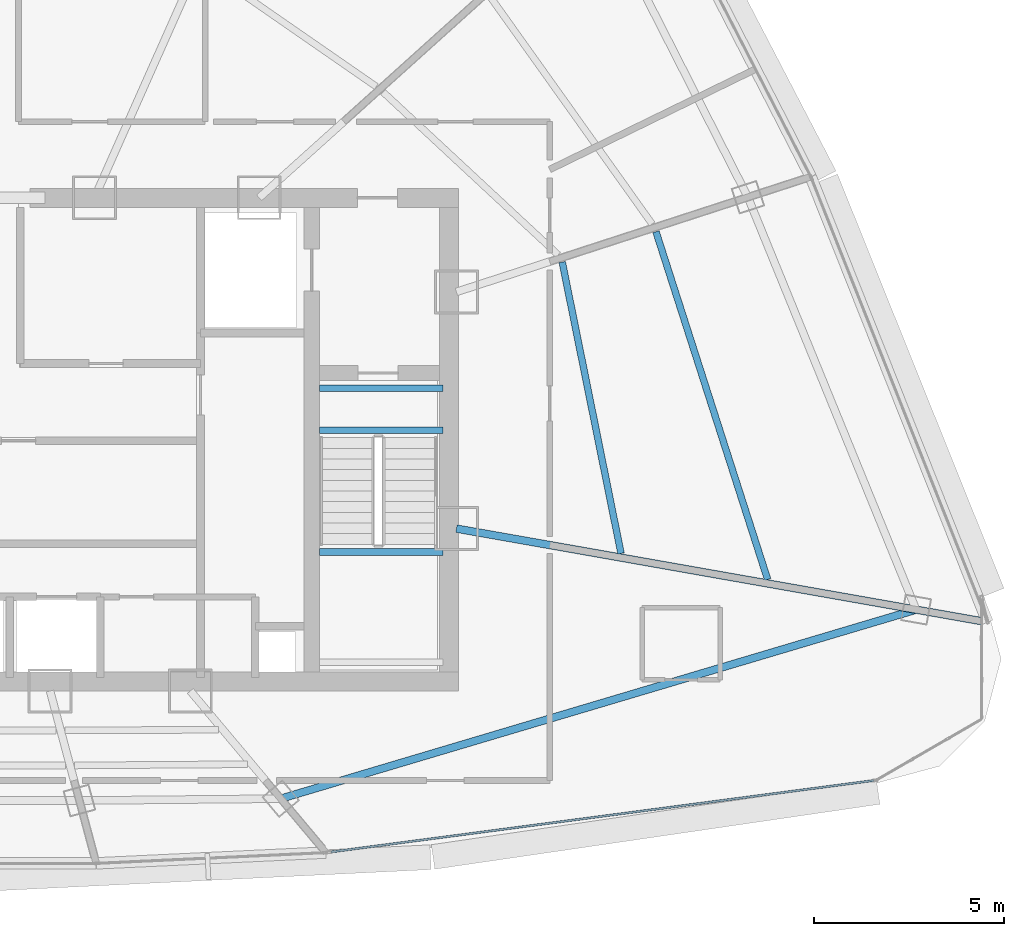
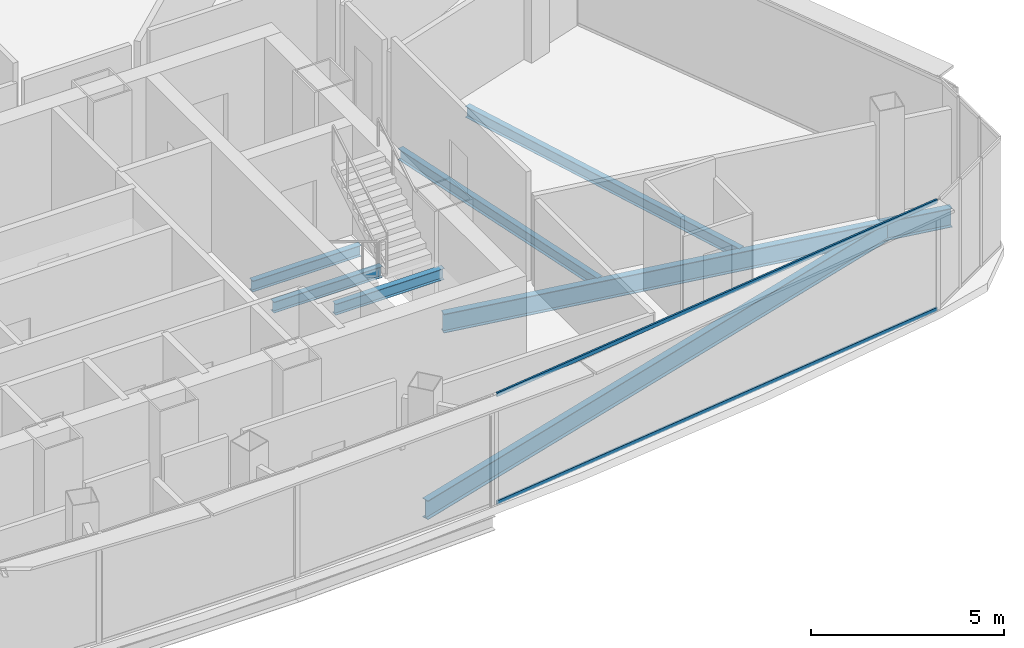
# One storey, part 11 of 29: 7 beams, 2 members, 1 element without a shape of its own.
"""IFC4 building model written with IfcOpenShell, lengths in metres."""

from ifc_helpers import new_model, si_unit, direction, frame, origin, origin_2d, place, context, subcontext, project, spatial, hollow_rectangle, i_section, extrude, source, transform, mapped, material, layer, layer_set, material_profile, profile_set, type_object, element, aggregate, save


model = new_model("IFC4")

# Units and contexts
model_context = context("Model", 3, precision=1e-05, world=origin(), true_north=direction((0.0, 1.0)))
body_context = subcontext(model_context, "Body", "Model", "MODEL_VIEW")
ifc_project = project(units=[si_unit("LENGTHUNIT", "METRE"), si_unit("AREAUNIT", "SQUARE_METRE"), si_unit("VOLUMEUNIT", "CUBIC_METRE"), si_unit("PLANEANGLEUNIT", "RADIAN"), si_unit("MASSUNIT", "GRAM", prefix="KILO"), si_unit("THERMODYNAMICTEMPERATUREUNIT", "KELVIN"), si_unit("POWERUNIT", "WATT")], contexts=[model_context])

# Site, building, storey
site_placement = place(None, origin())
site = spatial("IfcSite", under=ifc_project, at=site_placement, CompositionType="ELEMENT")
building_placement = place(site_placement, origin())
building = spatial("IfcBuilding", under=site, at=building_placement, Name="Yunzhuo Pagoda Commons", CompositionType="ELEMENT")
storey_placement = place(building_placement, frame((0.0, 0.0, 363.010009765625)))
storey = spatial("IfcBuildingStorey", under=building, at=storey_placement, Name="L91", CompositionType="ELEMENT", Elevation=363.010009765625)

# Beams
ifc_material_1 = material(Name="Structural steel Q355B", Category="steel")
ifc_material_profile_1 = material_profile(ifc_material_1, i_section(OverallWidth=0.175048828125, OverallDepth=0.35009765625, WebThickness=0.007080078125, FlangeThickness=0.010986328125, at=origin_2d()), Name="Structural steel Q355B")
ifc_profile_set_1 = profile_set([ifc_material_profile_1], Name="Structural steel Q355B")
beam_type_1 = type_object("IfcBeamType", Name="B-JS2 Joist HN 350x175x7x11", PredefinedType="JOIST", material=ifc_profile_set_1)
shared_shape_1 = source(origin(), body_context, "Body", "SweptSolid", [
    extrude(i_section(OverallWidth=0.175048828125, OverallDepth=0.35009765625, WebThickness=0.007080078125, FlangeThickness=0.010986328125, at=origin_2d()), origin(), (0.0, 0.0, 1.0), 3.25),
])
for number, where, z_axis, x_axis, name in (
    (1, (56.800048828125, 30.89990234375, 1.5), (1.0, 0.0, 0.0), (0.0, 1.0, 0.0), "L91 ST2 landing support beam 97B"),
    (2, (56.800048828125, 34.10009765625, -0.375), (1.0, 0.0, 0.0), (0.0, 1.0, 0.0), "L91 ST2 landing support beam 195A"),
    (3, (56.800048828125, 35.199951171875, -0.375), (1.0, 0.0, 0.0), (0.0, 1.0, 0.0), "L91 ST2 landing support beam 195B"),
):
    element("IfcBeam", number, at=place(storey_placement, frame(where, z_axis=z_axis, x_axis=x_axis)), inside=storey, type_object=beam_type_1, Name=name, PredefinedType="JOIST", context=body_context, shape_type="MappedRepresentation", body=[
        mapped(shared_shape_1, transform((0.0, 0.0, 0.0), scale=1.0)),
    ])
ifc_material_profile_2 = material_profile(ifc_material_1, i_section(OverallWidth=0.199951171875, OverallDepth=0.60009765625, WebThickness=0.010986328125, FlangeThickness=0.01708984375, at=origin_2d()), Name="Structural steel Q355B")
ifc_profile_set_2 = profile_set([ifc_material_profile_2], Name="Structural steel Q355B")
beam_type_2 = type_object("IfcBeamType", Name="B-RG3 Beam HN 600x200x11x17", PredefinedType="BEAM", material=ifc_profile_set_2)
shared_shape_2 = source(origin(), body_context, "Body", "SweptSolid", [
    extrude(i_section(OverallWidth=0.199951171875, OverallDepth=0.60009765625, WebThickness=0.010986328125, FlangeThickness=0.01708984375, at=origin_2d()), origin(), (0.0, 0.0, 1.0), 17.407470703125),
])
beam_1_placement = place(storey_placement, frame((55.785400390625, 24.421630859375, -0.56005859375), z_axis=(0.958484984609, 0.285143006717, 0.0), x_axis=(-0.285143006717, 0.958484984609, 0.0)))
element("IfcBeam", 4, at=beam_1_placement, inside=storey, type_object=beam_type_2, Name="L91 column-ring beam 4", PredefinedType="BEAM", context=body_context, shape_type="MappedRepresentation", body=[
    mapped(shared_shape_2, transform((0.0, 0.0, 0.0), scale=1.0)),
])
shared_shape_3 = source(origin(), body_context, "Body", "SweptSolid", [
    extrude(i_section(OverallWidth=0.175048828125, OverallDepth=0.35009765625, WebThickness=0.007080078125, FlangeThickness=0.010986328125, at=origin_2d()), origin(), (0.0, 0.0, 1.0), 7.8056640625),
])
beam_2_placement = place(storey_placement, frame((64.722412109375, 30.860107421875, -0.43505859375), z_axis=(-0.197830082137, 0.980236327934, 0.0), x_axis=(-0.980236327934, -0.197830082137, 0.0)))
element("IfcBeam", 5, at=beam_2_placement, inside=storey, type_object=beam_type_1, Name="L91 composite ring joist 1.5", PredefinedType="JOIST", context=body_context, shape_type="MappedRepresentation", body=[
    mapped(shared_shape_3, transform((0.0, 0.0, 0.0), scale=1.0)),
])
shared_shape_4 = source(origin(), body_context, "Body", "SweptSolid", [
    extrude(i_section(OverallWidth=0.175048828125, OverallDepth=0.35009765625, WebThickness=0.007080078125, FlangeThickness=0.010986328125, at=origin_2d()), origin(), (0.0, 0.0, 1.0), 9.593994140625),
])
beam_3_placement = place(storey_placement, frame((68.572509765625, 30.17578125, -0.43505859375), z_axis=(-0.305719218499, 0.952121714614, 0.0), x_axis=(-0.952121714614, -0.305719218499, 0.0)))
element("IfcBeam", 6, at=beam_3_placement, inside=storey, type_object=beam_type_1, Name="L91 composite ring joist 2.5", PredefinedType="JOIST", context=body_context, shape_type="MappedRepresentation", body=[
    mapped(shared_shape_4, transform((0.0, 0.0, 0.0), scale=1.0)),
])
shared_shape_5 = source(origin(), body_context, "Body", "SweptSolid", [
    extrude(i_section(OverallWidth=0.199951171875, OverallDepth=0.60009765625, WebThickness=0.010986328125, FlangeThickness=0.01708984375, at=origin_2d()), origin(), (0.0, 0.0, 1.0), 14.009033203125),
])
beam_4_placement = place(storey_placement, frame((74.196044921875, 29.0810546875, -0.56005859375), z_axis=(-0.984810915976, 0.17363023865, 0.0), x_axis=(-0.17363023865, -0.984810915976, 0.0)))
element("IfcBeam", 7, at=beam_4_placement, inside=storey, type_object=beam_type_2, Name="L91 radial floor girder F2C1", PredefinedType="BEAM", context=body_context, shape_type="MappedRepresentation", body=[
    mapped(shared_shape_5, transform((0.0, 0.0, 0.0), scale=1.0)),
])

# Curtain wall, members
ifc_material_2 = material(Name="Anodized aluminium 6063-T6", Category="aluminium")
ifc_layer = layer(ifc_material_2, 0.139892578125)
ifc_layer_set = layer_set([ifc_layer], Name="Anodized aluminium 6063-T6")
curtain_wall_type = type_object("IfcCurtainWallType", Name="CW-HI High-Zone Ribbon Curtain Wall", PredefinedType="NOTDEFINED", material=ifc_layer_set)
curtain_wall_placement = place(storey_placement, origin())
curtain_wall = element("IfcCurtainWall", 8, at=curtain_wall_placement, inside=storey, type_object=curtain_wall_type, Name="L91 curtain wall CW-L91-F1B5", PredefinedType="NOTDEFINED")
ifc_material_profile_3 = material_profile(ifc_material_2, hollow_rectangle(XDim=0.054931640625, YDim=0.1201171875, WallThickness=0.00341796875, at=origin_2d()), Name="Anodized aluminium 6063-T6")
ifc_profile_set_3 = profile_set([ifc_material_profile_3], Name="Anodized aluminium 6063-T6")
member_type = type_object("IfcMemberType", Name="CW-HI-T Transom RHS 120x55x3.5", PredefinedType="USERDEFINED", material=ifc_profile_set_3)
shared_shape_6 = source(origin(), body_context, "Body", "SweptSolid", [
    extrude(hollow_rectangle(XDim=0.054931640625, YDim=0.1201171875, WallThickness=0.00341796875, at=origin_2d()), origin(), (0.0, 0.0, 1.0), 14.375244140625),
])
member_1_placement = place(storey_placement, frame((57.107666015625, 23.02294921875, 0.027587890625), z_axis=(0.991445911577, 0.130518214887, 0.0), x_axis=(-0.130518214887, 0.991445911577, 0.0)))
member_1 = element("IfcMember", 9, at=member_1_placement, type_object=member_type, Name="CW transom 1.1", ObjectType="TRANSOM", PredefinedType="USERDEFINED", context=body_context, shape_type="MappedRepresentation", body=[
    mapped(shared_shape_6, transform((0.0, 0.0, 0.0), scale=1.0)),
])
member_2_placement = place(storey_placement, frame((57.107666015625, 23.02294921875, 3.4423828125), z_axis=(0.991445911577, 0.130518214887, 0.0), x_axis=(-0.130518214887, 0.991445911577, 0.0)))
member_2 = element("IfcMember", 10, at=member_2_placement, type_object=member_type, Name="CW transom 1.2", ObjectType="TRANSOM", PredefinedType="USERDEFINED", context=body_context, shape_type="MappedRepresentation", body=[
    mapped(shared_shape_6, transform((0.0, 0.0, 0.0), scale=1.0)),
])
aggregate(curtain_wall, [member_1, member_2])

save(model, "model.ifc")
